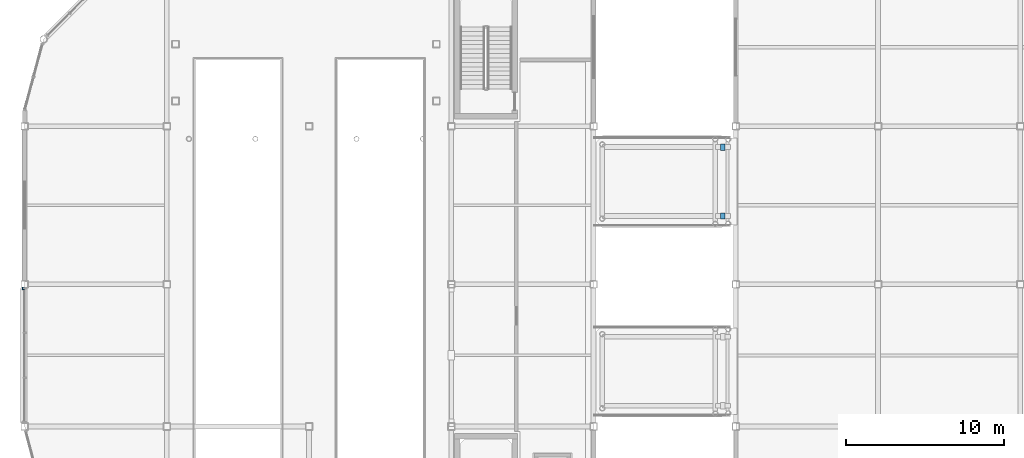
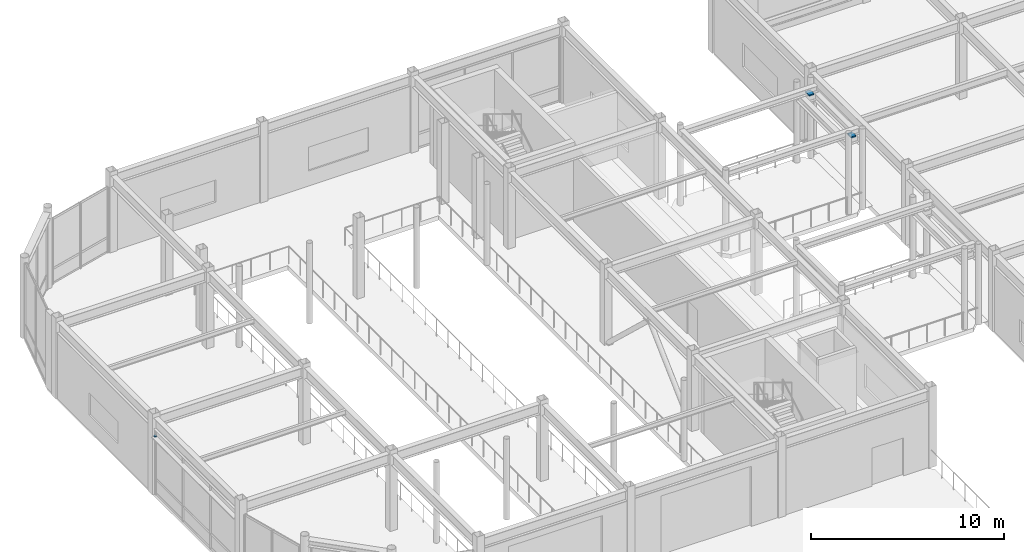
# One storey, part 100 of 123: 3 discrete accessories.
"""IFC4 building model written with IfcOpenShell, lengths in metres."""

import ifcopenshell
import ifcopenshell.guid

model = None  # the IFC model being written
_history = None  # IfcOwnerHistory: only IFC2X3 demands one
_inside = {}  # id of a spatial element -> (the spatial element, [elements in it])
_under = {}  # id of a project, library or spatial element -> (it, [spatial elements below it])
_declared = {}  # id of a project -> (the project, [libraries it declares])
_typed = {}  # id of a type object -> (the type object, [elements of that type])
_made_of = {}  # id of a material, layer set ... -> (it, [elements and type objects made of it])


def new_model(schema):
    """Start an empty IFC model of exactly this schema.

    Asked for "IFC4X3", IfcOpenShell would pick the latest addendum, in which some entities
    have other attributes; the version numbers below select the first issue.
    IFC2X3 requires an IfcOwnerHistory on every rooted entity: one is made here for all.
    """
    global model, _history
    if schema == "IFC4X3":
        model = ifcopenshell.file(schema_version=(4, 3, 0, 0))
    else:
        model = ifcopenshell.file(schema=schema)
    _inside.clear()
    _under.clear()
    _declared.clear()
    _typed.clear()
    _made_of.clear()
    _history = None
    if model.schema == "IFC2X3":
        org = make("IfcOrganization", Name="unknown")
        user = make(
            "IfcPersonAndOrganization",
            ThePerson=make("IfcPerson", FamilyName="unknown"),
            TheOrganization=org,
        )
        app = make(
            "IfcApplication",
            ApplicationDeveloper=org,
            Version="unknown",
            ApplicationFullName="unknown",
            ApplicationIdentifier="unknown",
        )
        _history = make(
            "IfcOwnerHistory",
            OwningUser=user,
            OwningApplication=app,
            ChangeAction="ADDED",
            CreationDate=0,
        )
    return model


def make(cls, **values):
    """One entity of the class cls with the attributes given. An attribute that is None is left unset."""
    return model.create_entity(
        cls, **{name: value for name, value in values.items() if value is not None}
    )


def rooted(cls, **values):
    """An entity with a GlobalId (a new one), such as an element, a storey or a relation."""
    return make(cls, GlobalId=ifcopenshell.guid.new(), OwnerHistory=_history, **values)


def si_unit(unit_type, name, prefix=None):
    """IfcSIUnit, for example si_unit("LENGTHUNIT", "METRE", prefix="MILLI")."""
    return make("IfcSIUnit", UnitType=unit_type, Prefix=prefix, Name=name)


def assignment(units):
    """IfcUnitAssignment: the units of a project."""
    return None if units is None else make("IfcUnitAssignment", Units=units)


def point(xyz):
    """IfcCartesianPoint."""
    return None if xyz is None else make("IfcCartesianPoint", Coordinates=xyz)


def direction(xyz):
    """IfcDirection."""
    return None if xyz is None else make("IfcDirection", DirectionRatios=xyz)


def frame(location, z_axis=None, x_axis=None):
    """IfcAxis2Placement3D, a coordinate frame: its origin and axes. An axis left out is left unset."""
    return make(
        "IfcAxis2Placement3D",
        Location=point(location),
        Axis=direction(z_axis),
        RefDirection=direction(x_axis),
    )


def frame_2d(location, x_axis=None):
    """IfcAxis2Placement2D, a coordinate frame in the plane: its origin and x axis."""
    return make(
        "IfcAxis2Placement2D", Location=point(location), RefDirection=direction(x_axis)
    )


def origin():
    """The frame at (0, 0, 0) with its axes left unset."""
    return frame((0.0, 0.0, 0.0))


def origin_2d():
    """The frame at (0, 0) in the plane with its x axis left unset."""
    return frame_2d((0.0, 0.0))


def place(relative_to, where):
    """IfcLocalPlacement: puts the frame where relative to a parent placement (None: the world)."""
    return make(
        "IfcLocalPlacement", PlacementRelTo=relative_to, RelativePlacement=where
    )


def context(
    kind, dimensions, precision=None, world=None, true_north=None, identifier=None
):
    """IfcGeometricRepresentationContext, for example the 3D "Model" context."""
    return make(
        "IfcGeometricRepresentationContext",
        ContextIdentifier=identifier,
        ContextType=kind,
        CoordinateSpaceDimension=dimensions,
        Precision=precision,
        WorldCoordinateSystem=world,
        TrueNorth=true_north,
    )


def subcontext(parent, identifier, kind, view, scale=None):
    """IfcGeometricRepresentationSubContext, for example "Body" below "Model"."""
    return make(
        "IfcGeometricRepresentationSubContext",
        ContextIdentifier=identifier,
        ContextType=kind,
        ParentContext=parent,
        TargetScale=scale,
        TargetView=view,
    )


def project(units=None, contexts=None):
    """IfcProject with its units and contexts."""
    return rooted(
        "IfcProject",
        Name="project",
        RepresentationContexts=contexts,
        UnitsInContext=assignment(units),
    )


def spatial(cls, under=None, at=None, **own):
    """A site, building, storey or space (cls), placed at a placement, below another one or the project."""
    s = rooted(cls, ObjectPlacement=at, **own)
    if under is not None:
        _under.setdefault(under.id(), (under, []))[1].append(s)
    return s


def profile(cls, at=None, kind="AREA", **sizes):
    """A parametric profile (cls). Its sizes go by their IFC names, for example OverallWidth=200.0."""
    return make(cls, ProfileType=kind, Position=at, **sizes)


def rectangle(**sizes):
    """IfcRectangleProfileDef."""
    return profile("IfcRectangleProfileDef", **sizes)


def extrude(swept, where, along, depth):
    """IfcExtrudedAreaSolid: the profile swept, set in the frame where, extruded along a direction by depth."""
    return make(
        "IfcExtrudedAreaSolid",
        SweptArea=swept,
        Position=where,
        ExtrudedDirection=direction(along),
        Depth=depth,
    )


def shape(context_of_items, identifier, shape_type, items):
    """IfcShapeRepresentation: the items that make up one representation, for example the "Body"."""
    return make(
        "IfcShapeRepresentation",
        ContextOfItems=context_of_items,
        RepresentationIdentifier=identifier,
        RepresentationType=shape_type,
        Items=items,
    )


def material(Name=None, Category=None):
    """IfcMaterial."""
    return make("IfcMaterial", Name=Name, Category=Category)


def made_of(thing, what):
    """Note that an element or type object is made of a material, layer set ...; save() writes the relation."""
    if what is not None:
        _made_of.setdefault(what.id(), (what, []))[1].append(thing)
    return thing


def type_object(cls, material=None, **own):
    """A type object (cls), such as IfcWallType, which elements share."""
    return made_of(rooted(cls, **own), material)


def element(
    cls,
    number,
    at=None,
    inside=None,
    cuts=None,
    type_object=None,
    material=None,
    context=None,
    identifier="Body",
    shape_type=None,
    held_by="IfcProductDefinitionShape",
    body=None,
    shapes=None,
    **own,
):
    """One element of the class cls, such as IfcWall. Its Tag is "e" and its number.

    at: its placement. inside: the storey or other place that contains it. cuts: it is an
    opening in that element (IfcRelVoidsElement). A single representation is given by context,
    identifier, shape_type and body (its items); several are given by shapes. held_by: the class
    of the entity that holds the representations. save() writes the other relations.
    """
    e = rooted(cls, Tag="e%d" % number, ObjectPlacement=at, **own)
    if body is not None:
        shapes = [shape(context, identifier, shape_type, body)]
    if shapes is not None:
        e.Representation = make(held_by, Representations=shapes)
    if inside is not None:
        _inside.setdefault(inside.id(), (inside, []))[1].append(e)
    if cuts is not None:
        rooted(
            "IfcRelVoidsElement", RelatingBuildingElement=cuts, RelatedOpeningElement=e
        )
    if type_object is not None:
        _typed.setdefault(type_object.id(), (type_object, []))[1].append(e)
    return made_of(e, material)


def aggregate(whole, parts):
    """IfcRelAggregates: a whole, such as a stair, and the parts it consists of."""
    return rooted("IfcRelAggregates", RelatingObject=whole, RelatedObjects=parts)


def save(model, path):
    """Write the relations noted so far, then the file.

    IfcRelAggregates (storeys below a building ...), IfcRelContainedInSpatialStructure (elements
    in a storey), IfcRelDefinesByType, IfcRelAssociatesMaterial and IfcRelDeclares: one each for
    every whole, place, type object, material and project.
    """
    for whole, parts in _under.values():
        aggregate(whole, parts)
    for where, things in _inside.values():
        rooted(
            "IfcRelContainedInSpatialStructure",
            RelatedElements=things,
            RelatingStructure=where,
        )
    for kind, things in _typed.values():
        rooted("IfcRelDefinesByType", RelatedObjects=things, RelatingType=kind)
    for what, things in _made_of.values():
        rooted("IfcRelAssociatesMaterial", RelatedObjects=things, RelatingMaterial=what)
    for by, libraries in _declared.values():
        rooted("IfcRelDeclares", RelatingContext=by, RelatedDefinitions=libraries)
    model.write(path)


model = new_model("IFC4")

# Units and contexts
model_context = context("Model", 3, precision=1e-05, world=origin(), true_north=direction((0.0, 1.0)))
body_context = subcontext(model_context, "Body", "Model", "MODEL_VIEW")
ifc_project = project(units=[si_unit("LENGTHUNIT", "METRE"), si_unit("AREAUNIT", "SQUARE_METRE"), si_unit("VOLUMEUNIT", "CUBIC_METRE"), si_unit("PLANEANGLEUNIT", "RADIAN"), si_unit("MASSUNIT", "GRAM", prefix="KILO")], contexts=[model_context])

# Site, building, storey
site_placement = place(None, origin())
site = spatial("IfcSite", under=ifc_project, at=site_placement, CompositionType="ELEMENT")
building_placement = place(site_placement, origin())
building = spatial("IfcBuilding", under=site, at=building_placement, Name="Suzunagisa Mobility Hub", CompositionType="ELEMENT")
storey_placement = place(building_placement, origin())
storey = spatial("IfcBuildingStorey", under=building, at=storey_placement, Name="L00", CompositionType="ELEMENT", Elevation=0.0)

# Discrete accessories
ifc_material_1 = material(Name="Stainless Steel SUS316", Category="metal")
discrete_accessory_type_1 = type_object("IfcDiscreteAccessoryType", Name="Stainless Sunshade Outrigger Bracket BRK-01", PredefinedType="BRACKET", material=ifc_material_1)
discrete_accessory_placement = place(storey_placement, frame((-0.0849609375, 97.742431640625, 3.64990234375), z_axis=(0.0, 0.0, 1.0), x_axis=(0.0, -1.0, 0.0)))
element("IfcDiscreteAccessory", 1, at=discrete_accessory_placement, inside=storey, type_object=discrete_accessory_type_1, Name="Sunshade Outrigger Bracket BRK-12.1", PredefinedType="BRACKET", context=body_context, shape_type="SweptSolid", body=[
    extrude(rectangle(XDim=0.159912109375, YDim=0.1201171875, at=origin_2d()), origin(), (0.0, 0.0, 1.0), 0.080078125),
])
ifc_material_2 = material(Name="PTFE Elastomeric Bearing Assembly")
discrete_accessory_type_2 = type_object("IfcDiscreteAccessoryType", Name="Unguided PTFE Sliding Bearing SBG-01", PredefinedType="SHOE", material=ifc_material_2)
for number, where, z_axis, x_axis, name in (
    (2, (44.175048828125, 102.320068359375, 4.409912109375), (0.0, 0.0, 1.0), (1.0, 0.0, 0.0), "Skybridge PTFE Sliding Bearing VRL-L01-N-A"),
    (3, (44.175048828125, 106.679931640625, 4.409912109375), (0.0, 0.0, 1.0), (1.0, 0.0, 0.0), "Skybridge PTFE Sliding Bearing VRL-L01-N-B"),
):
    element("IfcDiscreteAccessory", number, at=place(storey_placement, frame(where, z_axis=z_axis, x_axis=x_axis)), inside=storey, type_object=discrete_accessory_type_2, Name=name, PredefinedType="SHOE", context=body_context, shape_type="SweptSolid", body=[
        extrude(rectangle(XDim=0.300048828125, YDim=0.39990234375, at=origin_2d()), origin(), (0.0, 0.0, 1.0), 0.080078125),
    ])

save(model, "model.ifc")
